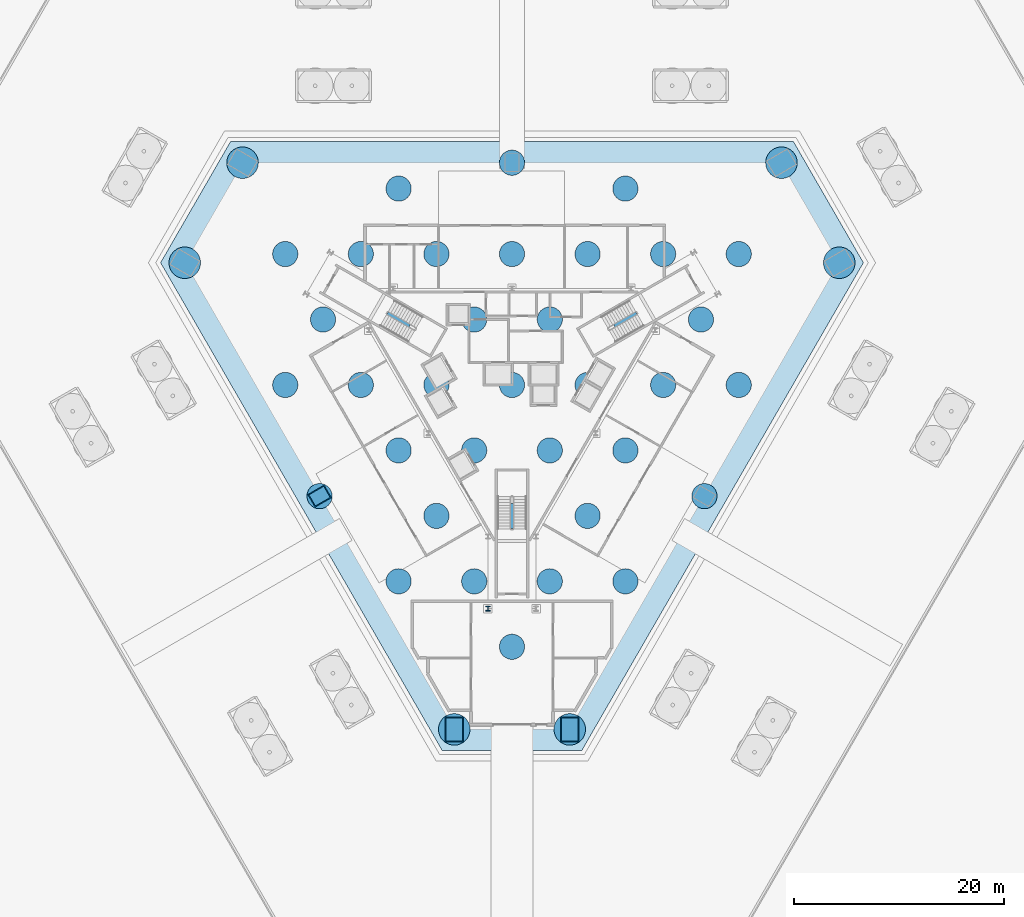
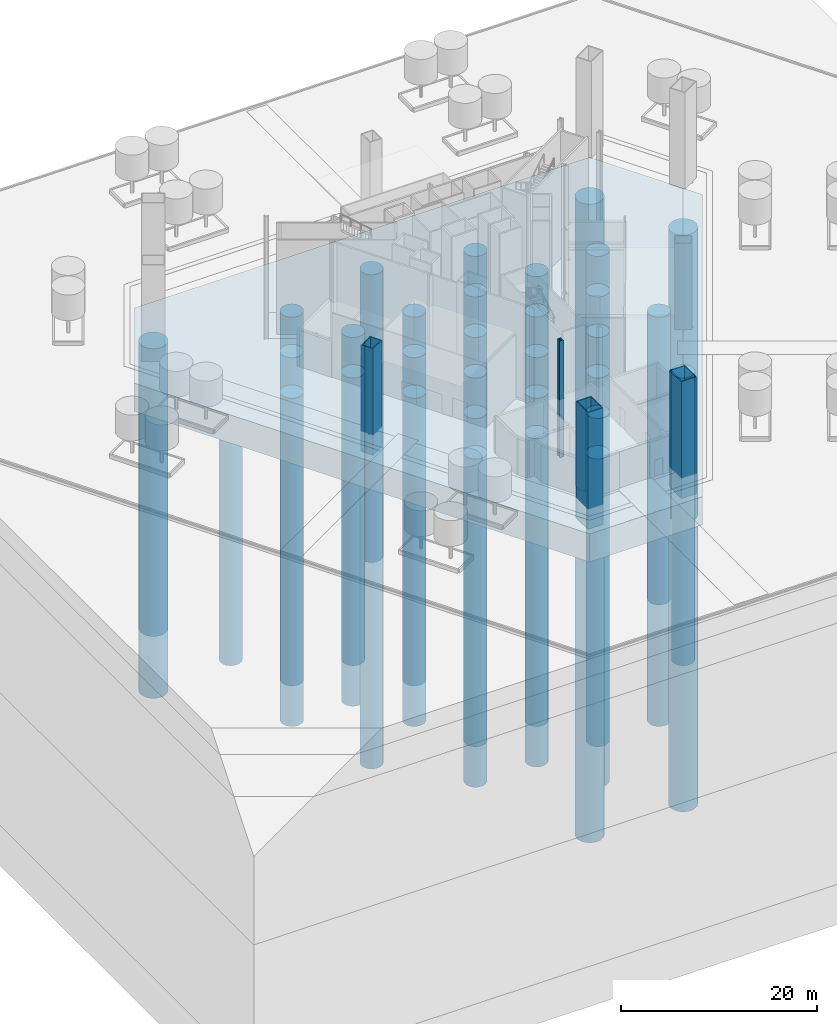
# One storey, part 1 of 22: 43 piles, 4 columns, 1 footing.
"""IFC4 building model written with IfcOpenShell, lengths in metres."""

from ifc_helpers import new_model, si_unit, direction, frame, origin, origin_2d, place, context, subcontext, project, spatial, polyline, hollow_rectangle, circle, i_section, outline, extrude, material, material_profile, profile_set, type_object, element, save


model = new_model("IFC4")

# Units and contexts
model_context = context("Model", 3, precision=1e-05, world=origin(), true_north=direction((0.0, 1.0)))
body_context = subcontext(model_context, "Body", "Model", "MODEL_VIEW")
ifc_project = project(units=[si_unit("LENGTHUNIT", "METRE"), si_unit("AREAUNIT", "SQUARE_METRE"), si_unit("VOLUMEUNIT", "CUBIC_METRE"), si_unit("PLANEANGLEUNIT", "RADIAN"), si_unit("MASSUNIT", "GRAM", prefix="KILO")], contexts=[model_context])

# Site, building, storey
site_placement = place(None, origin())
site = spatial("IfcSite", under=ifc_project, at=site_placement, CompositionType="ELEMENT")
building_placement = place(site_placement, origin())
building = spatial("IfcBuilding", under=site, at=building_placement, Name="Verrane Prism Tower", CompositionType="ELEMENT")
storey_placement = place(building_placement, origin())
storey = spatial("IfcBuildingStorey", under=building, at=storey_placement, Name="L00", CompositionType="ELEMENT", Elevation=0.0)

# Piles
ifc_material_1 = material(Name="Concrete C45", Category="concrete")
pile_type_1 = type_object("IfcPileType", Name="Drilled shaft D2400", PredefinedType="BORED", material=ifc_material_1)
for number, where, z_axis, x_axis, name in (
    (1, (0.0, -24.94140625, -5.699951171875), (0.0, 0.0, -1.0), (1.0, 0.0, 0.0), "Drilled shaft 3"),
    (2, (-10.800048828125, -18.7060546875, -5.699951171875), (0.0, 0.0, -1.0), (1.0, 0.0, 0.0), "Drilled shaft 4"),
    (3, (-3.60009765625, -18.7060546875, -5.699951171875), (0.0, 0.0, -1.0), (1.0, 0.0, 0.0), "Drilled shaft 5"),
    (4, (3.60009765625, -18.7060546875, -5.699951171875), (0.0, 0.0, -1.0), (1.0, 0.0, 0.0), "Drilled shaft 6"),
    (5, (10.800048828125, -18.7060546875, -5.699951171875), (0.0, 0.0, -1.0), (1.0, 0.0, 0.0), "Drilled shaft 7"),
    (6, (-7.199951171875, -12.470703125, -5.699951171875), (0.0, 0.0, -1.0), (1.0, 0.0, 0.0), "Drilled shaft 8"),
    (7, (0.0, -12.470703125, -5.699951171875), (0.0, 0.0, -1.0), (1.0, 0.0, 0.0), "Drilled shaft 9"),
    (8, (7.199951171875, -12.470703125, -5.699951171875), (0.0, 0.0, -1.0), (1.0, 0.0, 0.0), "Drilled shaft 10"),
    (9, (-18.330078125, -10.590087890625, -5.699951171875), (0.0, 0.0, -1.0), (1.0, 0.0, 0.0), "Drilled shaft 11"),
    (10, (18.330078125, -10.590087890625, -5.699951171875), (0.0, 0.0, -1.0), (1.0, 0.0, 0.0), "Drilled shaft 12"),
    (11, (-10.800048828125, -6.2353515625, -5.699951171875), (0.0, 0.0, -1.0), (1.0, 0.0, 0.0), "Drilled shaft 13"),
    (12, (-3.60009765625, -6.2353515625, -5.699951171875), (0.0, 0.0, -1.0), (1.0, 0.0, 0.0), "Drilled shaft 14"),
    (13, (3.60009765625, -6.2353515625, -5.699951171875), (0.0, 0.0, -1.0), (1.0, 0.0, 0.0), "Drilled shaft 15"),
    (14, (10.800048828125, -6.2353515625, -5.699951171875), (0.0, 0.0, -1.0), (1.0, 0.0, 0.0), "Drilled shaft 16"),
    (15, (-21.60009765625, 0.0, -5.699951171875), (0.0, 0.0, -1.0), (1.0, 0.0, 0.0), "Drilled shaft 17"),
    (16, (-14.39990234375, 0.0, -5.699951171875), (0.0, 0.0, -1.0), (1.0, 0.0, 0.0), "Drilled shaft 18"),
    (17, (-7.199951171875, 0.0, -5.699951171875), (0.0, 0.0, -1.0), (1.0, 0.0, 0.0), "Drilled shaft 19"),
    (18, (0.0, 0.0, -5.699951171875), (0.0, 0.0, -1.0), (1.0, 0.0, 0.0), "Drilled shaft 20"),
    (19, (7.199951171875, 0.0, -5.699951171875), (0.0, 0.0, -1.0), (1.0, 0.0, 0.0), "Drilled shaft 21"),
    (20, (14.39990234375, 0.0, -5.699951171875), (0.0, 0.0, -1.0), (1.0, 0.0, 0.0), "Drilled shaft 22"),
    (21, (21.60009765625, 0.0, -5.699951171875), (0.0, 0.0, -1.0), (1.0, 0.0, 0.0), "Drilled shaft 23"),
    (22, (-18.0, 6.2353515625, -5.699951171875), (0.0, 0.0, -1.0), (1.0, 0.0, 0.0), "Drilled shaft 24"),
    (23, (-10.800048828125, 6.2353515625, -5.699951171875), (0.0, 0.0, -1.0), (1.0, 0.0, 0.0), "Drilled shaft 25"),
    (24, (-3.60009765625, 6.2353515625, -5.699951171875), (0.0, 0.0, -1.0), (1.0, 0.0, 0.0), "Drilled shaft 26"),
    (25, (3.60009765625, 6.2353515625, -5.699951171875), (0.0, 0.0, -1.0), (1.0, 0.0, 0.0), "Drilled shaft 27"),
    (26, (10.800048828125, 6.2353515625, -5.699951171875), (0.0, 0.0, -1.0), (1.0, 0.0, 0.0), "Drilled shaft 28"),
    (27, (18.0, 6.2353515625, -5.699951171875), (0.0, 0.0, -1.0), (1.0, 0.0, 0.0), "Drilled shaft 29"),
    (28, (-21.60009765625, 12.470703125, -5.699951171875), (0.0, 0.0, -1.0), (1.0, 0.0, 0.0), "Drilled shaft 32"),
    (29, (-14.39990234375, 12.470703125, -5.699951171875), (0.0, 0.0, -1.0), (1.0, 0.0, 0.0), "Drilled shaft 33"),
    (30, (-7.199951171875, 12.470703125, -5.699951171875), (0.0, 0.0, -1.0), (1.0, 0.0, 0.0), "Drilled shaft 34"),
    (31, (0.0, 12.470703125, -5.699951171875), (0.0, 0.0, -1.0), (1.0, 0.0, 0.0), "Drilled shaft 35"),
    (32, (7.199951171875, 12.470703125, -5.699951171875), (0.0, 0.0, -1.0), (1.0, 0.0, 0.0), "Drilled shaft 36"),
    (33, (14.39990234375, 12.470703125, -5.699951171875), (0.0, 0.0, -1.0), (1.0, 0.0, 0.0), "Drilled shaft 37"),
    (34, (21.60009765625, 12.470703125, -5.699951171875), (0.0, 0.0, -1.0), (1.0, 0.0, 0.0), "Drilled shaft 38"),
    (35, (-10.800048828125, 18.7060546875, -5.699951171875), (0.0, 0.0, -1.0), (1.0, 0.0, 0.0), "Drilled shaft 39"),
    (36, (10.800048828125, 18.7060546875, -5.699951171875), (0.0, 0.0, -1.0), (1.0, 0.0, 0.0), "Drilled shaft 40"),
    (37, (0.0, 21.169921875, -5.699951171875), (0.0, 0.0, -1.0), (1.0, 0.0, 0.0), "Drilled shaft 42"),
):
    element("IfcPile", number, at=place(storey_placement, frame(where, z_axis=z_axis, x_axis=x_axis)), inside=storey, type_object=pile_type_1, Name=name, PredefinedType="BORED", context=body_context, shape_type="SweptSolid", body=[
        extrude(circle(Radius=1.199951171875, at=origin_2d()), origin(), (0.0, 0.0, 1.0), 35.800048828125),
    ])
ifc_material_2 = material(Name="Concrete C45", Category="concrete")
pile_type_2 = type_object("IfcPileType", Name="Drilled shaft D3000", PredefinedType="BORED", material=ifc_material_2)
for number, where, z_axis, x_axis, name in (
    (38, (-5.5, -32.81005859375, -5.699951171875), (0.0, 0.0, -1.0), (1.0, 0.0, 0.0), "Drilled shaft 1"),
    (39, (5.5, -32.81005859375, -5.699951171875), (0.0, 0.0, -1.0), (1.0, 0.0, 0.0), "Drilled shaft 2"),
    (40, (-31.169921875, 11.639892578125, -5.699951171875), (0.0, 0.0, -1.0), (1.0, 0.0, 0.0), "Drilled shaft 30"),
    (41, (31.169921875, 11.639892578125, -5.699951171875), (0.0, 0.0, -1.0), (1.0, 0.0, 0.0), "Drilled shaft 31"),
    (42, (-25.669921875, 21.169921875, -5.699951171875), (0.0, 0.0, -1.0), (1.0, 0.0, 0.0), "Drilled shaft 41"),
    (43, (25.669921875, 21.169921875, -5.699951171875), (0.0, 0.0, -1.0), (1.0, 0.0, 0.0), "Drilled shaft 43"),
):
    element("IfcPile", number, at=place(storey_placement, frame(where, z_axis=z_axis, x_axis=x_axis)), inside=storey, type_object=pile_type_2, Name=name, PredefinedType="BORED", context=body_context, shape_type="SweptSolid", body=[
        extrude(circle(Radius=1.5, at=origin_2d()), origin(), (0.0, 0.0, 1.0), 35.800048828125),
    ])

# Footing
ifc_material_3 = material(Name="Concrete C50", Category="concrete")
footing_type = type_object("IfcFootingType", Name="Piled raft RF1", PredefinedType="PILE_CAP", material=ifc_material_3)
footing_placement = place(storey_placement, frame((0.0, 0.0, -6.0)))
element("IfcFooting", 44, at=footing_placement, inside=storey, type_object=footing_type, Name="Piled raft RF1", PredefinedType="PILE_CAP", context=body_context, shape_type="SweptSolid", body=[
    extrude(outline(polyline([(33.476806640625, 11.643798828125), (6.65478515625, -34.813720703125), (-6.65478515625, -34.813720703125), (-33.476806640625, 11.643798828125), (-26.822265625, 23.169921875), (26.822265625, 23.169921875), (33.476806640625, 11.643798828125)])), origin(), (0.0, 0.0, 1.0), 3.5),
])

# Columns
ifc_material_4 = material(Name="Steel A992", Category="steel")
ifc_material_profile_1 = material_profile(ifc_material_4, i_section(OverallWidth=0.424072265625, OverallDepth=0.47509765625, WebThickness=0.0478515625, FlangeThickness=0.0771484375, FilletRadius=0.014892578125, at=origin_2d()), Name="W14x426")
ifc_profile_set_1 = profile_set([ifc_material_profile_1], Name="Steel A992")
column_type_1 = type_object("IfcColumnType", Name="Core corner column W14x426", PredefinedType="COLUMN", material=ifc_profile_set_1)
column_1_placement = place(storey_placement, frame((-2.300048828125, -21.300048828125, -2.5), z_axis=(0.0, 0.0, 1.0), x_axis=(-1.0, 0.0, 0.0)))
element("IfcColumn", 45, at=column_1_placement, inside=storey, type_object=column_type_1, Name="Core corner column CK-Sm L00", PredefinedType="COLUMN", context=body_context, shape_type="SweptSolid", body=[
    extrude(i_section(OverallWidth=0.424072265625, OverallDepth=0.47509765625, WebThickness=0.0478515625, FlangeThickness=0.0771484375, FilletRadius=0.014892578125, at=origin_2d()), origin(), (0.0, 0.0, 1.0), 14.5),
])
ifc_material_5 = material(Name="Steel A572 Grade 50", Category="steel")
ifc_material_profile_2 = material_profile(ifc_material_5, hollow_rectangle(XDim=1.800048828125, YDim=2.39990234375, WallThickness=0.10009765625, at=origin_2d()), Name="BOX 2400x1800x100")
ifc_profile_set_2 = profile_set([ifc_material_profile_2], Name="Steel A572 Grade 50")
column_type_2 = type_object("IfcColumnType", Name="Megacolumn BOX 2400x1800x100", PredefinedType="COLUMN", material=ifc_profile_set_2)
for number, where, z_axis, x_axis, name in (
    (46, (-5.5, -32.81005859375, -2.5), (0.0, 0.0, 1.0), (-1.0, 0.0, 0.0), "Megacolumn MC-S.a L00"),
    (47, (5.5, -32.81005859375, -2.5), (0.0, 0.0, 1.0), (-1.0, 0.0, 0.0), "Megacolumn MC-S.b L00"),
):
    element("IfcColumn", number, at=place(storey_placement, frame(where, z_axis=z_axis, x_axis=x_axis)), inside=storey, type_object=column_type_2, Name=name, PredefinedType="COLUMN", context=body_context, shape_type="SweptSolid", body=[
        extrude(hollow_rectangle(XDim=1.800048828125, YDim=2.39990234375, WallThickness=0.10009765625, at=origin_2d()), origin(), (0.0, 0.0, 1.0), 14.5),
    ])
ifc_material_6 = material(Name="Steel A572 Grade 50", Category="steel")
ifc_material_profile_3 = material_profile(ifc_material_6, hollow_rectangle(XDim=1.39990234375, YDim=1.800048828125, WallThickness=0.090087890625, at=origin_2d()), Name="BOX 1800x1400x90")
ifc_profile_set_3 = profile_set([ifc_material_profile_3], Name="Steel A572 Grade 50")
column_type_3 = type_object("IfcColumnType", Name="Stilt leg BOX 1800x1400x90", PredefinedType="COLUMN", material=ifc_profile_set_3)
column_2_placement = place(storey_placement, frame((-18.330078125, -10.590087890625, -2.5), z_axis=(0.0, 0.0, 1.0), x_axis=(-0.5, 0.866025403784, 0.0)))
element("IfcColumn", 48, at=column_2_placement, inside=storey, type_object=column_type_3, Name="Stilt leg PC-SW3 L00", PredefinedType="COLUMN", context=body_context, shape_type="SweptSolid", body=[
    extrude(hollow_rectangle(XDim=1.39990234375, YDim=1.800048828125, WallThickness=0.090087890625, at=origin_2d()), origin(), (0.0, 0.0, 1.0), 13.219970703125),
])

save(model, "model.ifc")
